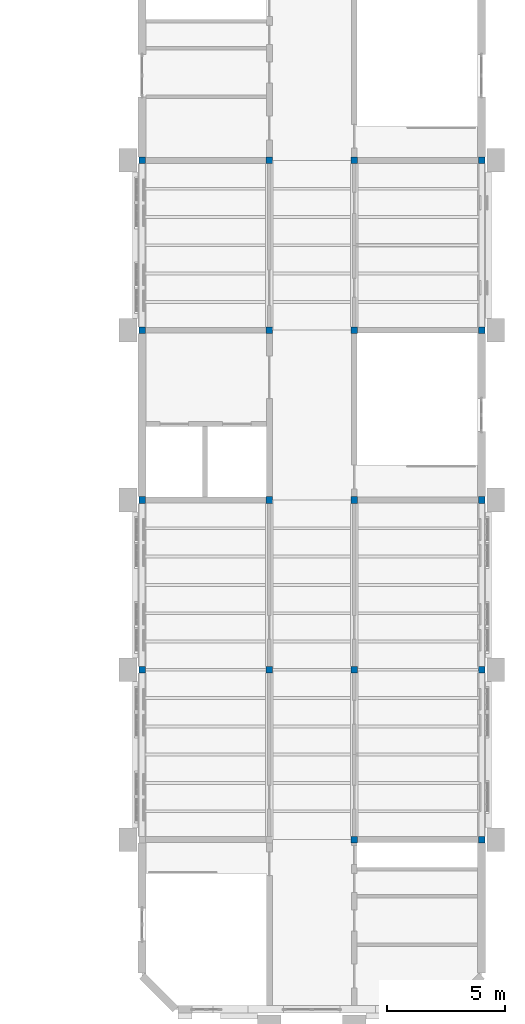
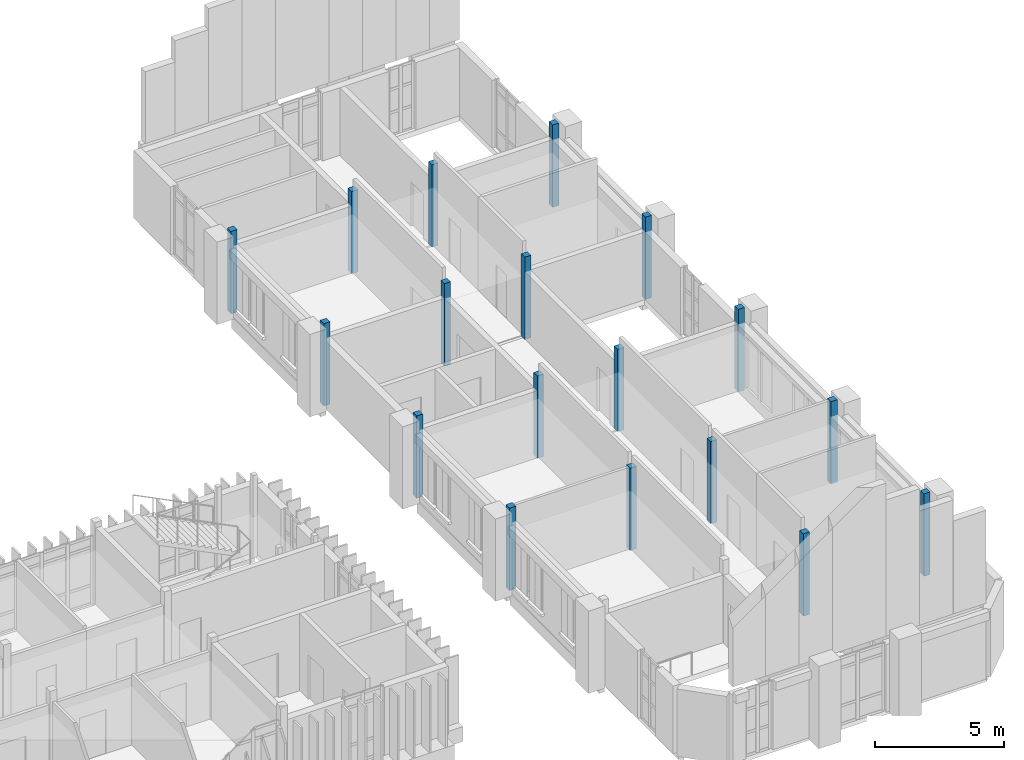
# One storey, part 3 of 71: 18 columns.
"""IFC4 building model written with IfcOpenShell, lengths in metres."""

from ifc_helpers import new_model, si_unit, direction, frame, origin, origin_2d, place, context, subcontext, project, spatial, rectangle, extrude, material, material_profile, profile_set, type_object, element, save


model = new_model("IFC4")

# Units and contexts
model_context = context("Model", 3, precision=1e-05, world=origin(), true_north=direction((0.0, 1.0)))
body_context = subcontext(model_context, "Body", "Model", "MODEL_VIEW")
ifc_project = project(units=[si_unit("LENGTHUNIT", "METRE"), si_unit("AREAUNIT", "SQUARE_METRE"), si_unit("VOLUMEUNIT", "CUBIC_METRE"), si_unit("PLANEANGLEUNIT", "RADIAN"), si_unit("MASSUNIT", "GRAM", prefix="KILO")], contexts=[model_context])

# Site, building, storey
site_placement = place(None, origin())
site = spatial("IfcSite", under=ifc_project, at=site_placement, CompositionType="ELEMENT")
building_placement = place(site_placement, origin())
building = spatial("IfcBuilding", under=site, at=building_placement, Name="Mazhai Court Health Centre", CompositionType="ELEMENT")
storey_placement = place(building_placement, frame((0.0, 0.0, 10.199951171875)))
storey = spatial("IfcBuildingStorey", under=building, at=storey_placement, Name="L02", CompositionType="ELEMENT", Elevation=10.199951171875)

# Columns
ifc_material = material(Name="Glulam GL28h", Category="wood")
ifc_material_profile = material_profile(ifc_material, rectangle(XDim=0.280029296875, YDim=0.280029296875, at=origin_2d()), Name="GL28h 280x280")
ifc_profile_set = profile_set([ifc_material_profile], Name="Glulam GL28h")
column_type = type_object("IfcColumnType", Name="GL28h 280x280 column", PredefinedType="COLUMN", material=ifc_profile_set)
for number, where, z_axis, x_axis, name in (
    (1, (144.800048828125, 13.39990234375, 0.0), (0.0, 0.0, 1.0), (1.0, 0.0, 0.0), "col-V6-L02-01-C"),
    (2, (150.199951171875, 13.39990234375, 0.0), (0.0, 0.0, 1.0), (1.0, 0.0, 0.0), "col-V6-L02-01-D"),
    (3, (135.800048828125, 20.60009765625, 0.0), (0.0, 0.0, 1.0), (1.0, 0.0, 0.0), "col-V6-L02-02-A"),
    (4, (141.199951171875, 20.60009765625, 0.0), (0.0, 0.0, 1.0), (1.0, 0.0, 0.0), "col-V6-L02-02-B"),
    (5, (144.800048828125, 20.60009765625, 0.0), (0.0, 0.0, 1.0), (1.0, 0.0, 0.0), "col-V6-L02-02-C"),
    (6, (150.199951171875, 20.60009765625, 0.0), (0.0, 0.0, 1.0), (1.0, 0.0, 0.0), "col-V6-L02-02-D"),
    (7, (135.800048828125, 27.800048828125, 0.0), (0.0, 0.0, 1.0), (1.0, 0.0, 0.0), "col-V6-L02-03-A"),
    (8, (141.199951171875, 27.800048828125, 0.0), (0.0, 0.0, 1.0), (1.0, 0.0, 0.0), "col-V6-L02-03-B"),
    (9, (144.800048828125, 27.800048828125, 0.0), (0.0, 0.0, 1.0), (1.0, 0.0, 0.0), "col-V6-L02-03-C"),
    (10, (150.199951171875, 27.800048828125, 0.0), (0.0, 0.0, 1.0), (1.0, 0.0, 0.0), "col-V6-L02-03-D"),
    (11, (135.800048828125, 35.0, 0.0), (0.0, 0.0, 1.0), (1.0, 0.0, 0.0), "col-V6-L02-04-A"),
    (12, (141.199951171875, 35.0, 0.0), (0.0, 0.0, 1.0), (1.0, 0.0, 0.0), "col-V6-L02-04-B"),
    (13, (144.800048828125, 35.0, 0.0), (0.0, 0.0, 1.0), (1.0, 0.0, 0.0), "col-V6-L02-04-C"),
    (14, (150.199951171875, 35.0, 0.0), (0.0, 0.0, 1.0), (1.0, 0.0, 0.0), "col-V6-L02-04-D"),
    (15, (135.800048828125, 42.199951171875, 0.0), (0.0, 0.0, 1.0), (1.0, 0.0, 0.0), "col-V6-L02-05-A"),
    (16, (141.199951171875, 42.199951171875, 0.0), (0.0, 0.0, 1.0), (1.0, 0.0, 0.0), "col-V6-L02-05-B"),
    (17, (144.800048828125, 42.199951171875, 0.0), (0.0, 0.0, 1.0), (1.0, 0.0, 0.0), "col-V6-L02-05-C"),
    (18, (150.199951171875, 42.199951171875, 0.0), (0.0, 0.0, 1.0), (1.0, 0.0, 0.0), "col-V6-L02-05-D"),
):
    element("IfcColumn", number, at=place(storey_placement, frame(where, z_axis=z_axis, x_axis=x_axis)), inside=storey, type_object=column_type, Name=name, PredefinedType="COLUMN", context=body_context, shape_type="SweptSolid", body=[
        extrude(rectangle(XDim=0.280029296875, YDim=0.280029296875, at=origin_2d()), origin(), (0.0, 0.0, 1.0), 3.900146484375),
    ])

save(model, "model.ifc")
